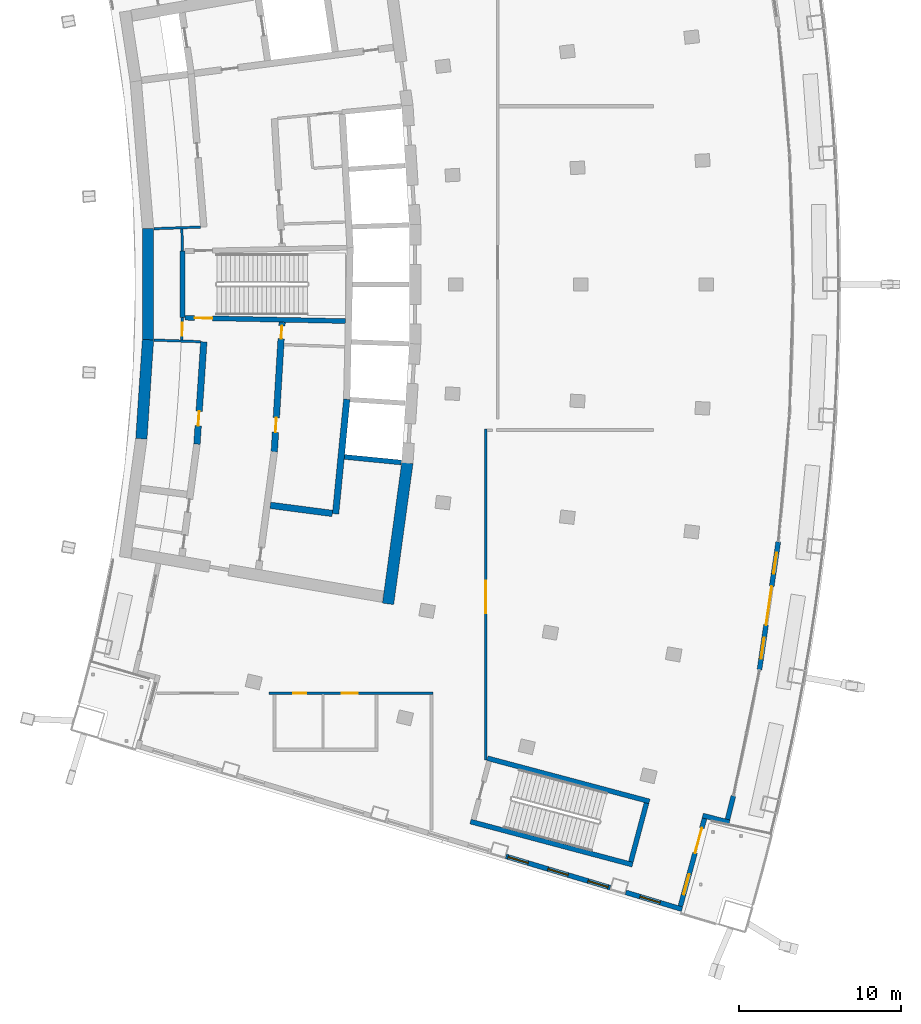
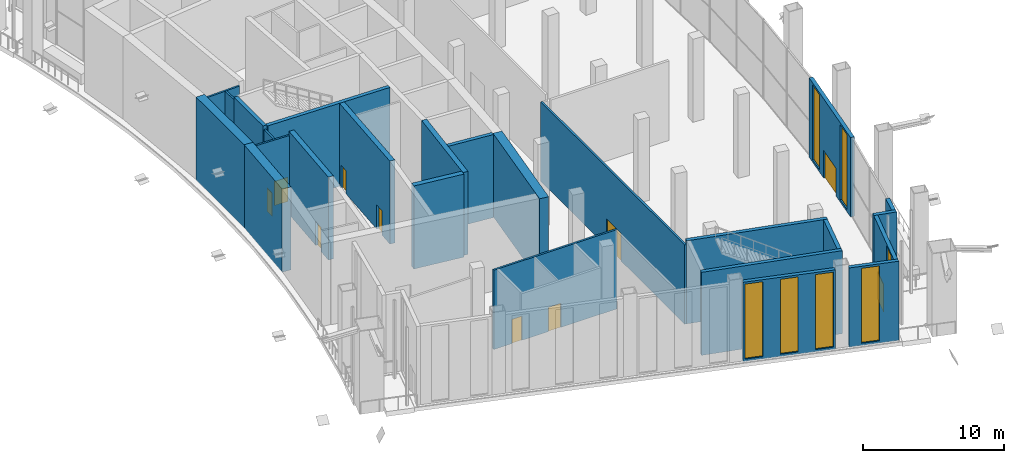
# One storey, part 16 of 26: 25 walls, 10 doors, 7 windows, 17 openings.
"""IFC4 building model written with IfcOpenShell, lengths in metres."""

import ifcopenshell
import ifcopenshell.guid

model = None  # the IFC model being written
_history = None  # IfcOwnerHistory: only IFC2X3 demands one
_inside = {}  # id of a spatial element -> (the spatial element, [elements in it])
_under = {}  # id of a project, library or spatial element -> (it, [spatial elements below it])
_declared = {}  # id of a project -> (the project, [libraries it declares])
_typed = {}  # id of a type object -> (the type object, [elements of that type])
_made_of = {}  # id of a material, layer set ... -> (it, [elements and type objects made of it])


def new_model(schema):
    """Start an empty IFC model of exactly this schema.

    Asked for "IFC4X3", IfcOpenShell would pick the latest addendum, in which some entities
    have other attributes; the version numbers below select the first issue.
    IFC2X3 requires an IfcOwnerHistory on every rooted entity: one is made here for all.
    """
    global model, _history
    if schema == "IFC4X3":
        model = ifcopenshell.file(schema_version=(4, 3, 0, 0))
    else:
        model = ifcopenshell.file(schema=schema)
    _inside.clear()
    _under.clear()
    _declared.clear()
    _typed.clear()
    _made_of.clear()
    _history = None
    if model.schema == "IFC2X3":
        org = make("IfcOrganization", Name="unknown")
        user = make(
            "IfcPersonAndOrganization",
            ThePerson=make("IfcPerson", FamilyName="unknown"),
            TheOrganization=org,
        )
        app = make(
            "IfcApplication",
            ApplicationDeveloper=org,
            Version="unknown",
            ApplicationFullName="unknown",
            ApplicationIdentifier="unknown",
        )
        _history = make(
            "IfcOwnerHistory",
            OwningUser=user,
            OwningApplication=app,
            ChangeAction="ADDED",
            CreationDate=0,
        )
    return model


def make(cls, **values):
    """One entity of the class cls with the attributes given. An attribute that is None is left unset."""
    return model.create_entity(
        cls, **{name: value for name, value in values.items() if value is not None}
    )


def rooted(cls, **values):
    """An entity with a GlobalId (a new one), such as an element, a storey or a relation."""
    return make(cls, GlobalId=ifcopenshell.guid.new(), OwnerHistory=_history, **values)


def si_unit(unit_type, name, prefix=None):
    """IfcSIUnit, for example si_unit("LENGTHUNIT", "METRE", prefix="MILLI")."""
    return make("IfcSIUnit", UnitType=unit_type, Prefix=prefix, Name=name)


def assignment(units):
    """IfcUnitAssignment: the units of a project."""
    return None if units is None else make("IfcUnitAssignment", Units=units)


def point(xyz):
    """IfcCartesianPoint."""
    return None if xyz is None else make("IfcCartesianPoint", Coordinates=xyz)


def direction(xyz):
    """IfcDirection."""
    return None if xyz is None else make("IfcDirection", DirectionRatios=xyz)


def frame(location, z_axis=None, x_axis=None):
    """IfcAxis2Placement3D, a coordinate frame: its origin and axes. An axis left out is left unset."""
    return make(
        "IfcAxis2Placement3D",
        Location=point(location),
        Axis=direction(z_axis),
        RefDirection=direction(x_axis),
    )


def frame_2d(location, x_axis=None):
    """IfcAxis2Placement2D, a coordinate frame in the plane: its origin and x axis."""
    return make(
        "IfcAxis2Placement2D", Location=point(location), RefDirection=direction(x_axis)
    )


def origin():
    """The frame at (0, 0, 0) with its axes left unset."""
    return frame((0.0, 0.0, 0.0))


def place(relative_to, where):
    """IfcLocalPlacement: puts the frame where relative to a parent placement (None: the world)."""
    return make(
        "IfcLocalPlacement", PlacementRelTo=relative_to, RelativePlacement=where
    )


def context(
    kind, dimensions, precision=None, world=None, true_north=None, identifier=None
):
    """IfcGeometricRepresentationContext, for example the 3D "Model" context."""
    return make(
        "IfcGeometricRepresentationContext",
        ContextIdentifier=identifier,
        ContextType=kind,
        CoordinateSpaceDimension=dimensions,
        Precision=precision,
        WorldCoordinateSystem=world,
        TrueNorth=true_north,
    )


def subcontext(parent, identifier, kind, view, scale=None):
    """IfcGeometricRepresentationSubContext, for example "Body" below "Model"."""
    return make(
        "IfcGeometricRepresentationSubContext",
        ContextIdentifier=identifier,
        ContextType=kind,
        ParentContext=parent,
        TargetScale=scale,
        TargetView=view,
    )


def project(units=None, contexts=None):
    """IfcProject with its units and contexts."""
    return rooted(
        "IfcProject",
        Name="project",
        RepresentationContexts=contexts,
        UnitsInContext=assignment(units),
    )


def spatial(cls, under=None, at=None, **own):
    """A site, building, storey or space (cls), placed at a placement, below another one or the project."""
    s = rooted(cls, ObjectPlacement=at, **own)
    if under is not None:
        _under.setdefault(under.id(), (under, []))[1].append(s)
    return s


def profile(cls, at=None, kind="AREA", **sizes):
    """A parametric profile (cls). Its sizes go by their IFC names, for example OverallWidth=200.0."""
    return make(cls, ProfileType=kind, Position=at, **sizes)


def rectangle(**sizes):
    """IfcRectangleProfileDef."""
    return profile("IfcRectangleProfileDef", **sizes)


def extrude(swept, where, along, depth):
    """IfcExtrudedAreaSolid: the profile swept, set in the frame where, extruded along a direction by depth."""
    return make(
        "IfcExtrudedAreaSolid",
        SweptArea=swept,
        Position=where,
        ExtrudedDirection=direction(along),
        Depth=depth,
    )


def shape(context_of_items, identifier, shape_type, items):
    """IfcShapeRepresentation: the items that make up one representation, for example the "Body"."""
    return make(
        "IfcShapeRepresentation",
        ContextOfItems=context_of_items,
        RepresentationIdentifier=identifier,
        RepresentationType=shape_type,
        Items=items,
    )


def material(Name=None, Category=None):
    """IfcMaterial."""
    return make("IfcMaterial", Name=Name, Category=Category)


def layer(
    of_material, thickness, ventilated=None, Name=None, Category=None, Priority=None
):
    """IfcMaterialLayer: one layer of a wall or slab, of a material (None: an air gap)."""
    return make(
        "IfcMaterialLayer",
        Material=of_material,
        LayerThickness=thickness,
        IsVentilated=ventilated,
        Name=Name,
        Category=Category,
        Priority=Priority,
    )


def layer_set(layers, Name=None):
    """IfcMaterialLayerSet."""
    return make("IfcMaterialLayerSet", MaterialLayers=layers, LayerSetName=Name)


def made_of(thing, what):
    """Note that an element or type object is made of a material, layer set ...; save() writes the relation."""
    if what is not None:
        _made_of.setdefault(what.id(), (what, []))[1].append(thing)
    return thing


def type_object(cls, material=None, **own):
    """A type object (cls), such as IfcWallType, which elements share."""
    return made_of(rooted(cls, **own), material)


def element(
    cls,
    number,
    at=None,
    inside=None,
    cuts=None,
    type_object=None,
    material=None,
    context=None,
    identifier="Body",
    shape_type=None,
    held_by="IfcProductDefinitionShape",
    body=None,
    shapes=None,
    **own,
):
    """One element of the class cls, such as IfcWall. Its Tag is "e" and its number.

    at: its placement. inside: the storey or other place that contains it. cuts: it is an
    opening in that element (IfcRelVoidsElement). A single representation is given by context,
    identifier, shape_type and body (its items); several are given by shapes. held_by: the class
    of the entity that holds the representations. save() writes the other relations.
    """
    e = rooted(cls, Tag="e%d" % number, ObjectPlacement=at, **own)
    if body is not None:
        shapes = [shape(context, identifier, shape_type, body)]
    if shapes is not None:
        e.Representation = make(held_by, Representations=shapes)
    if inside is not None:
        _inside.setdefault(inside.id(), (inside, []))[1].append(e)
    if cuts is not None:
        rooted(
            "IfcRelVoidsElement", RelatingBuildingElement=cuts, RelatedOpeningElement=e
        )
    if type_object is not None:
        _typed.setdefault(type_object.id(), (type_object, []))[1].append(e)
    return made_of(e, material)


def fill(opening, filler):
    """IfcRelFillsElement: the door or window that sits in an opening."""
    return rooted(
        "IfcRelFillsElement",
        RelatingOpeningElement=opening,
        RelatedBuildingElement=filler,
    )


def aggregate(whole, parts):
    """IfcRelAggregates: a whole, such as a stair, and the parts it consists of."""
    return rooted("IfcRelAggregates", RelatingObject=whole, RelatedObjects=parts)


def save(model, path):
    """Write the relations noted so far, then the file.

    IfcRelAggregates (storeys below a building ...), IfcRelContainedInSpatialStructure (elements
    in a storey), IfcRelDefinesByType, IfcRelAssociatesMaterial and IfcRelDeclares: one each for
    every whole, place, type object, material and project.
    """
    for whole, parts in _under.values():
        aggregate(whole, parts)
    for where, things in _inside.values():
        rooted(
            "IfcRelContainedInSpatialStructure",
            RelatedElements=things,
            RelatingStructure=where,
        )
    for kind, things in _typed.values():
        rooted("IfcRelDefinesByType", RelatedObjects=things, RelatingType=kind)
    for what, things in _made_of.values():
        rooted("IfcRelAssociatesMaterial", RelatedObjects=things, RelatingMaterial=what)
    for by, libraries in _declared.values():
        rooted("IfcRelDeclares", RelatingContext=by, RelatedDefinitions=libraries)
    model.write(path)


model = new_model("IFC4")

# Units and contexts
model_context = context("Model", 3, precision=1e-05, world=origin(), true_north=direction((0.0, 1.0)))
body_context = subcontext(model_context, "Body", "Model", "MODEL_VIEW")
ifc_project = project(units=[si_unit("LENGTHUNIT", "METRE"), si_unit("AREAUNIT", "SQUARE_METRE"), si_unit("VOLUMEUNIT", "CUBIC_METRE"), si_unit("PLANEANGLEUNIT", "RADIAN"), si_unit("MASSUNIT", "GRAM", prefix="KILO")], contexts=[model_context])

# Site, building, storey
site_placement = place(None, origin())
site = spatial("IfcSite", under=ifc_project, at=site_placement, CompositionType="ELEMENT")
building_placement = place(site_placement, origin())
building = spatial("IfcBuilding", under=site, at=building_placement, Name="Alderwake Tower", CompositionType="ELEMENT")
storey_placement = place(building_placement, frame((0.0, 0.0, 182.0)))
storey = spatial("IfcBuildingStorey", under=building, at=storey_placement, Name="L45", CompositionType="ELEMENT", Elevation=182.0)

# Wall, opening, door
ifc_material_1 = material(Name="Gypsum shaft wall system, rated")
ifc_layer_1 = layer(ifc_material_1, 0.14990234375)
ifc_layer_set_1 = layer_set([ifc_layer_1], Name="Core room partition 150")
wall_type_1 = type_object("IfcWallType", Name="Core room partition 150", PredefinedType="PARTITIONING", material=ifc_layer_set_1)
wall_1_placement = place(storey_placement, frame((18.918701171875, 58.94384765625, 0.0), z_axis=(0.0, 0.0, 1.0), x_axis=(-0.027811602725, -0.999613182563, 0.0)))
wall_1 = element("IfcWall", 1, at=wall_1_placement, inside=storey, type_object=wall_type_1, Name="CW/L45/PA+24_-37", PredefinedType="PARTITIONING", context=body_context, shape_type="SweptSolid", body=[
    extrude(rectangle(XDim=1.369384765625, YDim=0.14990234375, at=frame_2d((0.6845703125, 0.0))), origin(), (0.0, 0.0, 1.0), 6.8798828125),
])
opening_1_placement = place(wall_1_placement, frame((0.322998046875, 0.0, 0.0)))
opening_1 = element("IfcOpeningElement", 2, at=opening_1_placement, cuts=wall_1, Name="Opening C004", PredefinedType="OPENING", context=body_context, shape_type="SweptSolid", body=[
    extrude(rectangle(XDim=0.800048828125, YDim=2.0, at=frame_2d((0.39990234375, 1.0))), frame((0.0, 0.0849609375, 0.0), z_axis=(0.0, -1.0, 0.0), x_axis=(1.0, 0.0, 0.0)), (0.0, 0.0, 1.0), 0.169921875),
])
ifc_material_2 = material(Name="Painted steel leaf, rated", Category="steel")
door_type_1 = type_object("IfcDoorType", Name="Riser access door 800", OperationType="SINGLE_SWING_LEFT", PredefinedType="DOOR", material=ifc_material_2)
door_1_placement = place(opening_1_placement, origin())
door_1 = element("IfcDoor", 3, at=door_1_placement, inside=storey, type_object=door_type_1, Name="Riser access door", OperationType="SINGLE_SWING_RIGHT", OverallHeight=2.0, OverallWidth=0.800048828125, PredefinedType="DOOR", context=body_context, shape_type="SweptSolid", body=[
    extrude(rectangle(XDim=0.800048828125, YDim=2.0, at=frame_2d((0.39990234375, 1.0))), frame((0.0, 0.02490234375, 0.0), z_axis=(0.0, -1.0, 0.0), x_axis=(1.0, 0.0, 0.0)), (0.0, 0.0, 1.0), 0.050048828125),
])
fill(opening_1, door_1)

# Walls
wall_2_placement = place(storey_placement, frame((18.918701171875, 63.05517578125, 0.0), z_axis=(0.0, 0.0, 1.0), x_axis=(-0.027791791559, 0.99961373356, 0.0)))
element("IfcWall", 4, at=wall_2_placement, inside=storey, type_object=wall_type_1, Name="CW/L45/PA+24_+22", PredefinedType="PARTITIONING", context=body_context, shape_type="SweptSolid", body=[
    extrude(rectangle(XDim=1.370361328125, YDim=0.14990234375, at=frame_2d((0.68505859375, 0.0))), origin(), (0.0, 0.0, 1.0), 6.8798828125),
])
wall_3_placement = place(storey_placement, frame((17.169189453125, 57.560546875, 0.0), z_axis=(0.0, 0.0, 1.0), x_axis=(0.999373538371, -0.03539111194, 0.0)))
element("IfcWall", 5, at=wall_3_placement, inside=storey, type_object=wall_type_1, Name="CW/L45/PR-37_+0", PredefinedType="PARTITIONING", context=body_context, shape_type="SweptSolid", body=[
    extrude(rectangle(XDim=2.86962890625, YDim=0.14990234375, at=frame_2d((1.434814453125, 0.0))), origin(), (0.0, 0.0, 1.0), 6.8798828125),
])
wall_4_placement = place(storey_placement, frame((17.16943359375, 64.439453125, 0.0), z_axis=(0.0, 0.0, 1.0), x_axis=(0.999373431798, 0.035394121201, 0.0)))
element("IfcWall", 6, at=wall_4_placement, inside=storey, type_object=wall_type_1, Name="CW/L45/PR+37_+0", PredefinedType="PARTITIONING", context=body_context, shape_type="SweptSolid", body=[
    extrude(rectangle(XDim=2.869384765625, YDim=0.14990234375, at=frame_2d((1.4345703125, 0.0))), origin(), (0.0, 0.0, 1.0), 6.8798828125),
])
ifc_material_3 = material(Name="Concrete C70/85", Category="concrete")
ifc_layer_2 = layer(ifc_material_3, 0.699951171875)
ifc_layer_set_2 = layer_set([ifc_layer_2], Name="Core wall outer 700 C70-85")
wall_type_2 = type_object("IfcWallType", Name="Core wall outer 700 C70-85", PredefinedType="SHEAR", material=ifc_layer_set_2)
wall_5_placement = place(storey_placement, frame((16.379638671875, 51.46337890625, 0.0), z_axis=(0.0, 0.0, 1.0), x_axis=(0.066917731608, 0.997758496429, 0.0)))
element("IfcWall", 7, at=wall_5_placement, inside=storey, type_object=wall_type_2, Name="Core wall CW.041", PredefinedType="SHEAR", context=body_context, shape_type="SweptSolid", body=[
    extrude(rectangle(XDim=6.136474609375, YDim=0.699951171875, at=frame_2d((3.068359375, 0.0))), origin(), (0.0, 0.0, 1.0), 7.199951171875),
])
wall_6_placement = place(storey_placement, frame((16.789306640625, 57.561767578125, 0.0), z_axis=(0.0, 0.0, 1.0), x_axis=(0.0, 1.0, 0.0)))
element("IfcWall", 8, at=wall_6_placement, inside=storey, type_object=wall_type_2, Name="Core wall CW.043", PredefinedType="SHEAR", context=body_context, shape_type="SweptSolid", body=[
    extrude(rectangle(XDim=6.87939453125, YDim=0.699951171875, at=frame_2d((3.439697265625, 0.0))), origin(), (0.0, 0.0, 1.0), 7.199951171875),
])
wall_7_placement = place(storey_placement, frame((31.618896484375, 41.264892578125, 0.0), z_axis=(0.0, 0.0, 1.0), x_axis=(0.135835706655, 0.99073137671, 0.0)))
element("IfcWall", 9, at=wall_7_placement, inside=storey, type_object=wall_type_2, Name="Core wall CW.012", PredefinedType="SHEAR", context=body_context, shape_type="SweptSolid", body=[
    extrude(rectangle(XDim=8.790771484375, YDim=0.699951171875, at=frame_2d((4.3955078125, 0.0))), origin(), (0.0, 0.0, 1.0), 7.199951171875),
])
ifc_material_4 = material(Name="Concrete C70/85", Category="concrete")
ifc_layer_3 = layer(ifc_material_4, 0.300048828125)
ifc_layer_set_3 = layer_set([ifc_layer_3], Name="Core wall shaft 300 C70-85")
wall_type_3 = type_object("IfcWallType", Name="Core wall shaft 300 C70-85", PredefinedType="SHEAR", material=ifc_layer_set_3)
wall_8_placement = place(storey_placement, frame((28.922119140625, 50.341796875, 0.0), z_axis=(0.0, 0.0, 1.0), x_axis=(0.995247351008, -0.097379208823, 0.0)))
element("IfcWall", 10, at=wall_8_placement, inside=storey, type_object=wall_type_3, Name="Core wall CW.064", PredefinedType="SHEAR", context=body_context, shape_type="SweptSolid", body=[
    extrude(rectangle(XDim=3.527587890625, YDim=0.300048828125, at=frame_2d((1.763671875, 0.0))), origin(), (0.0, 0.0, 1.0), 7.199951171875),
])

# Wall, opening, door
ifc_material_5 = material(Name="Concrete C70/85", Category="concrete")
ifc_layer_4 = layer(ifc_material_5, 0.39990234375)
ifc_layer_set_4 = layer_set([ifc_layer_4], Name="Core wall spine 400 C70-85")
wall_type_4 = type_object("IfcWallType", Name="Core wall spine 400 C70-85", PredefinedType="SHEAR", material=ifc_layer_set_4)
wall_9_placement = place(storey_placement, frame((20.2373046875, 57.451904296875, 0.0), z_axis=(0.0, 0.0, 1.0), x_axis=(-0.066887252767, -0.997760540118, 0.0)))
wall_9 = element("IfcWall", 11, at=wall_9_placement, inside=storey, type_object=wall_type_4, Name="Core wall CW.032", PredefinedType="SHEAR", context=body_context, shape_type="SweptSolid", body=[
    extrude(rectangle(XDim=6.33642578125, YDim=0.39990234375, at=frame_2d((3.168212890625, 0.0))), origin(), (0.0, 0.0, 1.0), 7.199951171875),
])
opening_2_placement = place(wall_9_placement, frame((4.29736328125, 0.0, 0.0)))
opening_2 = element("IfcOpeningElement", 12, at=opening_2_placement, cuts=wall_9, Name="Opening C037", PredefinedType="OPENING", context=body_context, shape_type="SweptSolid", body=[
    extrude(rectangle(XDim=0.89990234375, YDim=2.10009765625, at=frame_2d((0.449951171875, 1.050048828125))), frame((0.0, 0.2099609375, 0.0), z_axis=(0.0, -1.0, 0.0), x_axis=(1.0, 0.0, 0.0)), (0.0, 0.0, 1.0), 0.419921875),
])
ifc_material_6 = material(Name="Painted steel leaf", Category="steel")
door_type_2 = type_object("IfcDoorType", Name="Core room door 900", OperationType="SINGLE_SWING_LEFT", PredefinedType="DOOR", material=ifc_material_6)
door_2_placement = place(opening_2_placement, origin())
door_2 = element("IfcDoor", 13, at=door_2_placement, inside=storey, type_object=door_type_2, Name="Room door", OperationType="SINGLE_SWING_RIGHT", OverallHeight=2.10009765625, OverallWidth=0.89990234375, PredefinedType="DOOR", context=body_context, shape_type="SweptSolid", body=[
    extrude(rectangle(XDim=0.89990234375, YDim=2.10009765625, at=frame_2d((0.449951171875, 1.050048828125))), frame((0.0, 0.02490234375, 0.0), z_axis=(0.0, -1.0, 0.0), x_axis=(1.0, 0.0, 0.0)), (0.0, 0.0, 1.0), 0.050048828125),
])
fill(opening_2, door_2)

# Wall, openings, doors
wall_10_placement = place(storey_placement, frame((24.590087890625, 50.656982421875, 0.0), z_axis=(0.0, 0.0, 1.0), x_axis=(0.060320473855, 0.99817906231, 0.0)))
wall_10 = element("IfcWall", 14, at=wall_10_placement, inside=storey, type_object=wall_type_4, Name="Core wall CW.046", PredefinedType="SHEAR", context=body_context, shape_type="SweptSolid", body=[
    extrude(rectangle(XDim=8.02197265625, YDim=0.39990234375, at=frame_2d((4.010986328125, 0.0))), origin(), (0.0, 0.0, 1.0), 7.199951171875),
])
opening_3_placement = place(wall_10_placement, frame((7.005859375, 0.0, 0.0)))
opening_3 = element("IfcOpeningElement", 15, at=opening_3_placement, cuts=wall_10, Name="Opening C006", PredefinedType="OPENING", context=body_context, shape_type="SweptSolid", body=[
    extrude(rectangle(XDim=0.800048828125, YDim=2.0, at=frame_2d((0.39990234375, 1.0))), frame((0.0, 0.2099609375, 0.0), z_axis=(0.0, -1.0, 0.0), x_axis=(1.0, 0.0, 0.0)), (0.0, 0.0, 1.0), 0.419921875),
])
opening_4_placement = place(wall_10_placement, frame((1.21533203125, 0.0, 0.0)))
opening_4 = element("IfcOpeningElement", 16, at=opening_4_placement, cuts=wall_10, Name="Opening C043", PredefinedType="OPENING", context=body_context, shape_type="SweptSolid", body=[
    extrude(rectangle(XDim=0.89990234375, YDim=2.10009765625, at=frame_2d((0.449951171875, 1.050048828125))), frame((0.0, 0.2099609375, 0.0), z_axis=(0.0, -1.0, 0.0), x_axis=(1.0, 0.0, 0.0)), (0.0, 0.0, 1.0), 0.419921875),
])
door_3_placement = place(opening_4_placement, origin())
door_3 = element("IfcDoor", 17, at=door_3_placement, inside=storey, type_object=door_type_2, Name="Room door", OperationType="SINGLE_SWING_LEFT", OverallHeight=2.10009765625, OverallWidth=0.89990234375, PredefinedType="DOOR", context=body_context, shape_type="SweptSolid", body=[
    extrude(rectangle(XDim=0.89990234375, YDim=2.10009765625, at=frame_2d((0.449951171875, 1.050048828125))), frame((0.0, 0.02490234375, 0.0), z_axis=(0.0, -1.0, 0.0), x_axis=(1.0, 0.0, 0.0)), (0.0, 0.0, 1.0), 0.050048828125),
])
fill(opening_4, door_3)
door_4_placement = place(opening_3_placement, origin())
door_4 = element("IfcDoor", 18, at=door_4_placement, inside=storey, type_object=door_type_1, Name="Riser access door", OperationType="SINGLE_SWING_RIGHT", OverallHeight=2.0, OverallWidth=0.800048828125, PredefinedType="DOOR", context=body_context, shape_type="SweptSolid", body=[
    extrude(rectangle(XDim=0.800048828125, YDim=2.0, at=frame_2d((0.39990234375, 1.0))), frame((0.0, 0.02490234375, 0.0), z_axis=(0.0, -1.0, 0.0), x_axis=(1.0, 0.0, 0.0)), (0.0, 0.0, 1.0), 0.050048828125),
])
fill(opening_3, door_4)

# Walls
wall_11_placement = place(storey_placement, frame((28.376953125, 46.8251953125, 0.0), z_axis=(0.0, 0.0, 1.0), x_axis=(0.097393469943, 0.995245955537, 0.0)))
element("IfcWall", 19, at=wall_11_placement, inside=storey, type_object=wall_type_4, Name="Core wall CW.005", PredefinedType="SHEAR", context=body_context, shape_type="SweptSolid", body=[
    extrude(rectangle(XDim=7.1142578125, YDim=0.39990234375, at=frame_2d((3.55712890625, 0.0))), origin(), (0.0, 0.0, 1.0), 7.199951171875),
])
wall_12_placement = place(storey_placement, frame((24.347900390625, 47.35205078125, 0.0), z_axis=(0.0, 0.0, 1.0), x_axis=(0.991555950624, -0.129679592778, 0.0)))
element("IfcWall", 20, at=wall_12_placement, inside=storey, type_object=wall_type_4, Name="Core wall CW.069", PredefinedType="SHEAR", context=body_context, shape_type="SweptSolid", body=[
    extrude(rectangle(XDim=3.86328125, YDim=0.39990234375, at=frame_2d((1.931640625, 0.0))), origin(), (0.0, 0.0, 1.0), 7.199951171875),
])
ifc_material_7 = material(Name="Concrete C70/85", Category="concrete")
ifc_layer_5 = layer(ifc_material_7, 0.300048828125)
ifc_layer_set_5 = layer_set([ifc_layer_5], Name="Core wall stair enclosure 300 C70-85")
wall_type_5 = type_object("IfcWallType", Name="Core wall stair enclosure 300 C70-85", PredefinedType="SHEAR", material=ifc_layer_set_5)
wall_13_placement = place(storey_placement, frame((18.918701171875, 58.940673828125, 0.0), z_axis=(0.0, 0.0, 1.0), x_axis=(0.0, 1.0, 0.0)))
element("IfcWall", 21, at=wall_13_placement, inside=storey, type_object=wall_type_5, Name="Core wall CW.024", PredefinedType="SHEAR", context=body_context, shape_type="SweptSolid", body=[
    extrude(rectangle(XDim=4.11962890625, YDim=0.300048828125, at=frame_2d((2.059814453125, 0.0))), origin(), (0.0, 0.0, 1.0), 7.199951171875),
])

# Wall, opening, door
wall_14_placement = place(storey_placement, frame((28.975830078125, 58.733154296875, 0.0), z_axis=(0.0, 0.0, 1.0), x_axis=(-0.999783782948, 0.020793925895, 0.0)))
wall_14 = element("IfcWall", 22, at=wall_14_placement, inside=storey, type_object=wall_type_5, Name="Core wall CW.074", PredefinedType="SHEAR", context=body_context, shape_type="SweptSolid", body=[
    extrude(rectangle(XDim=9.909423828125, YDim=0.300048828125, at=frame_2d((4.95458984375, 0.0))), origin(), (0.0, 0.0, 1.0), 7.199951171875),
])
opening_5_placement = place(wall_14_placement, frame((8.20947265625, 0.0, 0.0)))
opening_5 = element("IfcOpeningElement", 23, at=opening_5_placement, cuts=wall_14, Name="Opening C063", PredefinedType="OPENING", context=body_context, shape_type="SweptSolid", body=[
    extrude(rectangle(XDim=1.10009765625, YDim=2.10009765625, at=frame_2d((0.550048828125, 1.050048828125))), frame((0.0, 0.159912109375, 0.0), z_axis=(0.0, -1.0, 0.0), x_axis=(1.0, 0.0, 0.0)), (0.0, 0.0, 1.0), 0.320068359375),
])
ifc_material_8 = material(Name="Steel-framed fire door leaf", Category="steel")
door_type_3 = type_object("IfcDoorType", Name="Core stair door 1100 fire-rated", OperationType="SINGLE_SWING_LEFT", PredefinedType="DOOR", material=ifc_material_8)
door_5_placement = place(opening_5_placement, origin())
door_5 = element("IfcDoor", 24, at=door_5_placement, inside=storey, type_object=door_type_3, Name="Stair door", OperationType="SINGLE_SWING_LEFT", OverallHeight=2.10009765625, OverallWidth=1.10009765625, PredefinedType="DOOR", context=body_context, shape_type="SweptSolid", body=[
    extrude(rectangle(XDim=1.10009765625, YDim=2.10009765625, at=frame_2d((0.550048828125, 1.050048828125))), frame((0.0, 0.02490234375, 0.0), z_axis=(0.0, -1.0, 0.0), x_axis=(1.0, 0.0, 0.0)), (0.0, 0.0, 1.0), 0.050048828125),
])
fill(opening_5, door_5)

# Walls
for number, where, z_axis, x_axis, name in (
    (25, (37.75390625, 31.731201171875, 0.0), (0.0, 0.0, 1.0), (0.966309214305, -0.257383958996, 0.0), "Core wall CW.086"),
    (26, (36.71142578125, 27.817626953125, 0.0), (0.0, 0.0, 1.0), (0.966309214305, -0.257383958996, 0.0), "Core wall CW.088"),
):
    element("IfcWall", number, at=place(storey_placement, frame(where, z_axis=z_axis, x_axis=x_axis)), inside=storey, type_object=wall_type_5, Name=name, PredefinedType="SHEAR", context=body_context, shape_type="SweptSolid", body=[
        extrude(rectangle(XDim=10.360107421875, YDim=0.300048828125, at=frame_2d((5.18017578125, 0.0))), origin(), (0.0, 0.0, 1.0), 7.199951171875),
    ])
wall_15_placement = place(storey_placement, frame((46.6162109375, 25.334716796875, 0.0), z_axis=(0.0, 0.0, 1.0), x_axis=(0.257366821694, 0.966313778796, 0.0)))
element("IfcWall", 27, at=wall_15_placement, inside=storey, type_object=wall_type_5, Name="Core wall CW.085", PredefinedType="SHEAR", context=body_context, shape_type="SweptSolid", body=[
    extrude(rectangle(XDim=3.749755859375, YDim=0.300048828125, at=frame_2d((1.875, 0.0))), origin(), (0.0, 0.0, 1.0), 7.199951171875),
])

# Wall, openings, doors
ifc_material_9 = material(Name="Gypsum board on metal studs, rated")
ifc_layer_6 = layer(ifc_material_9, 0.159912109375)
ifc_layer_set_6 = layer_set([ifc_layer_6], Name="Corridor wall 160")
wall_type_6 = type_object("IfcWallType", Name="Corridor wall 160", PredefinedType="PARTITIONING", material=ifc_layer_set_6)
wall_16_placement = place(storey_placement, frame((24.260986328125, 35.7509765625, 0.0), z_axis=(0.0, 0.0, 1.0), x_axis=(1.0, 0.0, 0.0)))
wall_16 = element("IfcWall", 28, at=wall_16_placement, inside=storey, type_object=wall_type_6, Name="WL/L45/W12", PredefinedType="PARTITIONING", context=body_context, shape_type="SweptSolid", body=[
    extrude(rectangle(XDim=10.117919921875, YDim=0.159912109375, at=frame_2d((5.05908203125, 0.0))), origin(), (0.0, 0.0, 1.0), 6.8798828125),
])
opening_6_placement = place(wall_16_placement, frame((1.489013671875, 0.0, 0.0)))
opening_6 = element("IfcOpeningElement", 29, at=opening_6_placement, cuts=wall_16, Name="Opening L45-07", PredefinedType="OPENING", context=body_context, shape_type="SweptSolid", body=[
    extrude(rectangle(XDim=0.800048828125, YDim=2.10009765625, at=frame_2d((0.39990234375, 1.050048828125))), frame((0.0, 0.08984375, 0.0), z_axis=(0.0, -1.0, 0.0), x_axis=(1.0, 0.0, 0.0)), (0.0, 0.0, 1.0), 0.179931640625),
])
opening_7_placement = place(wall_16_placement, frame((4.489013671875, 0.0, 0.0)))
opening_7 = element("IfcOpeningElement", 30, at=opening_7_placement, cuts=wall_16, Name="Opening L45-08", PredefinedType="OPENING", context=body_context, shape_type="SweptSolid", body=[
    extrude(rectangle(XDim=1.0, YDim=2.10009765625, at=frame_2d((0.5, 1.050048828125))), frame((0.0, 0.08984375, 0.0), z_axis=(0.0, -1.0, 0.0), x_axis=(1.0, 0.0, 0.0)), (0.0, 0.0, 1.0), 0.179931640625),
])
ifc_material_10 = material(Name="Painted timber leaf", Category="wood")
door_type_4 = type_object("IfcDoorType", Name="Accessible WC door 1000", OperationType="SINGLE_SWING_LEFT", PredefinedType="DOOR", material=ifc_material_10)
door_6_placement = place(opening_7_placement, origin())
door_6 = element("IfcDoor", 31, at=door_6_placement, inside=storey, type_object=door_type_4, Name="DR/L45/08", OperationType="SINGLE_SWING_LEFT", OverallHeight=2.10009765625, OverallWidth=1.0, PredefinedType="DOOR", context=body_context, shape_type="SweptSolid", body=[
    extrude(rectangle(XDim=1.0, YDim=2.10009765625, at=frame_2d((0.5, 1.050048828125))), frame((0.0, 0.02490234375, 0.0), z_axis=(0.0, -1.0, 0.0), x_axis=(1.0, 0.0, 0.0)), (0.0, 0.0, 1.0), 0.050048828125),
])
fill(opening_7, door_6)
ifc_material_11 = material(Name="Painted timber leaf", Category="wood")
door_type_5 = type_object("IfcDoorType", Name="Bathroom door 800", OperationType="SINGLE_SWING_LEFT", PredefinedType="DOOR", material=ifc_material_11)
door_7_placement = place(opening_6_placement, origin())
door_7 = element("IfcDoor", 32, at=door_7_placement, inside=storey, type_object=door_type_5, Name="DR/L45/07", OperationType="SINGLE_SWING_LEFT", OverallHeight=2.10009765625, OverallWidth=0.800048828125, PredefinedType="DOOR", context=body_context, shape_type="SweptSolid", body=[
    extrude(rectangle(XDim=0.800048828125, YDim=2.10009765625, at=frame_2d((0.39990234375, 1.050048828125))), frame((0.0, 0.02490234375, 0.0), z_axis=(0.0, -1.0, 0.0), x_axis=(1.0, 0.0, 0.0)), (0.0, 0.0, 1.0), 0.050048828125),
])
fill(opening_6, door_7)

# Wall, opening, door
wall_17_placement = place(storey_placement, frame((37.64990234375, 31.611083984375, 0.0), z_axis=(0.0, 0.0, 1.0), x_axis=(0.0, 1.0, 0.0)))
wall_17 = element("IfcWall", 33, at=wall_17_placement, inside=storey, type_object=wall_type_6, Name="WL/L45/W17", PredefinedType="PARTITIONING", context=body_context, shape_type="SweptSolid", body=[
    extrude(rectangle(XDim=20.468017578125, YDim=0.159912109375, at=frame_2d((10.23388671875, 0.0))), origin(), (0.0, 0.0, 1.0), 6.8798828125),
])
opening_8_placement = place(wall_17_placement, frame((9.080078125, 0.0, 0.0)))
opening_8 = element("IfcOpeningElement", 34, at=opening_8_placement, cuts=wall_17, Name="Opening L45-01", PredefinedType="OPENING", context=body_context, shape_type="SweptSolid", body=[
    extrude(rectangle(XDim=2.0, YDim=2.39990234375, at=frame_2d((1.0, 1.199951171875))), frame((0.0, 0.08984375, 0.0), z_axis=(0.0, -1.0, 0.0), x_axis=(1.0, 0.0, 0.0)), (0.0, 0.0, 1.0), 0.179931640625),
])
ifc_material_12 = material(Name="Timber leaves with glazed panels", Category="wood")
door_type_6 = type_object("IfcDoorType", Name="Hall double door 2000", OperationType="DOUBLE_DOOR_SINGLE_SWING", PredefinedType="DOOR", material=ifc_material_12)
door_8_placement = place(opening_8_placement, origin())
door_8 = element("IfcDoor", 35, at=door_8_placement, inside=storey, type_object=door_type_6, Name="DR/L45/01", OperationType="DOUBLE_DOOR_SINGLE_SWING", OverallHeight=2.39990234375, OverallWidth=2.0, PredefinedType="DOOR", context=body_context, shape_type="SweptSolid", body=[
    extrude(rectangle(XDim=2.0, YDim=2.39990234375, at=frame_2d((1.0, 1.199951171875))), frame((0.0, 0.02490234375, 0.0), z_axis=(0.0, -1.0, 0.0), x_axis=(1.0, 0.0, 0.0)), (0.0, 0.0, 1.0), 0.050048828125),
])
fill(opening_8, door_8)

# Wall
ifc_material_13 = material(Name="Precast concrete C50/60 spandrel panel", Category="concrete")
ifc_layer_7 = layer(ifc_material_13, 0.300048828125)
ifc_layer_set_7 = layer_set([ifc_layer_7], Name="External wall EW1 Precast concrete C50/60 spandrel")
wall_type_7 = type_object("IfcWallType", Name="External wall EW1 Precast concrete C50/60 spandrel", PredefinedType="SOLIDWALL", material=ifc_layer_set_7)
wall_18_placement = place(storey_placement, frame((52.59130859375, 27.953857421875, 0.0), z_axis=(0.0, 0.0, 1.0), x_axis=(0.238262272646, 0.971200849173, 0.0)))
element("IfcWall", 36, at=wall_18_placement, inside=storey, type_object=wall_type_7, Name="External wall 14", PredefinedType="SOLIDWALL", context=body_context, shape_type="SweptSolid", body=[
    extrude(rectangle(XDim=1.492919921875, YDim=0.300048828125, at=frame_2d((0.74658203125, 0.0))), origin(), (0.0, 0.0, 1.0), 6.8798828125),
])

# Wall, openings, door, windows
wall_19_placement = place(storey_placement, frame((54.5625, 37.206787109375, 0.0), z_axis=(0.0, 0.0, 1.0), x_axis=(0.145325613694, 0.989383882022, 0.0)))
wall_19 = element("IfcWall", 37, at=wall_19_placement, inside=storey, type_object=wall_type_7, Name="External wall 15", PredefinedType="SOLIDWALL", context=body_context, shape_type="SweptSolid", body=[
    extrude(rectangle(XDim=7.97314453125, YDim=0.300048828125, at=frame_2d((3.986572265625, 0.0))), origin(), (0.0, 0.0, 1.0), 6.8798828125),
])
opening_9_placement = place(wall_19_placement, frame((0.6787109375, 0.0, 0.199951171875)))
opening_9 = element("IfcOpeningElement", 38, at=opening_9_placement, cuts=wall_19, Name="Opening W5", PredefinedType="OPENING", context=body_context, shape_type="SweptSolid", body=[
    extrude(rectangle(XDim=1.300048828125, YDim=6.5, at=frame_2d((0.64990234375, 3.25))), frame((0.0, 0.159912109375, 0.0), z_axis=(0.0, -1.0, 0.0), x_axis=(1.0, 0.0, 0.0)), (0.0, 0.0, 1.0), 0.320068359375),
])
opening_10_placement = place(wall_19_placement, frame((2.78662109375, 0.0, 0.0)))
opening_10 = element("IfcOpeningElement", 39, at=opening_10_placement, cuts=wall_19, Name="Opening D04", PredefinedType="OPENING", context=body_context, shape_type="SweptSolid", body=[
    extrude(rectangle(XDim=2.39990234375, YDim=2.39990234375, at=frame_2d((1.199951171875, 1.199951171875))), frame((0.0, 0.159912109375, 0.0), z_axis=(0.0, -1.0, 0.0), x_axis=(1.0, 0.0, 0.0)), (0.0, 0.0, 1.0), 0.320068359375),
])
opening_11_placement = place(wall_19_placement, frame((5.994140625, 0.0, 0.199951171875)))
opening_11 = element("IfcOpeningElement", 40, at=opening_11_placement, cuts=wall_19, Name="Opening W5", PredefinedType="OPENING", context=body_context, shape_type="SweptSolid", body=[
    extrude(rectangle(XDim=1.300048828125, YDim=6.5, at=frame_2d((0.64990234375, 3.25))), frame((0.0, 0.159912109375, 0.0), z_axis=(0.0, -1.0, 0.0), x_axis=(1.0, 0.0, 0.0)), (0.0, 0.0, 1.0), 0.320068359375),
])
ifc_material_14 = material(Name="Bronze tinted glass in aluminium frame", Category="aluminium")
door_type_7 = type_object("IfcDoorType", Name="Garden door GD sliding", OperationType="DOUBLE_DOOR_SINGLE_SWING", PredefinedType="DOOR", material=ifc_material_14)
door_9_placement = place(opening_10_placement, origin())
door_9 = element("IfcDoor", 41, at=door_9_placement, inside=storey, type_object=door_type_7, Name="Door D04", OperationType="DOUBLE_DOOR_SINGLE_SWING", OverallHeight=2.39990234375, OverallWidth=2.39990234375, PredefinedType="DOOR", context=body_context, shape_type="SweptSolid", body=[
    extrude(rectangle(XDim=2.39990234375, YDim=2.39990234375, at=frame_2d((1.199951171875, 1.199951171875))), frame((0.0, 0.02490234375, 0.0), z_axis=(0.0, -1.0, 0.0), x_axis=(1.0, 0.0, 0.0)), (0.0, 0.0, 1.0), 0.050048828125),
])
fill(opening_10, door_9)
ifc_material_15 = material(Name="Bronze tinted glass in aluminium frame", Category="aluminium")
window_type = type_object("IfcWindowType", Name="Window W5 garden floor tall", PartitioningType="SINGLE_PANEL", PredefinedType="WINDOW", material=ifc_material_15)
window_1_placement = place(opening_9_placement, origin())
window_1 = element("IfcWindow", 42, at=window_1_placement, inside=storey, type_object=window_type, Name="Window W5 garden floor tall", OverallHeight=6.5, OverallWidth=1.300048828125, PartitioningType="SINGLE_PANEL", PredefinedType="WINDOW", context=body_context, shape_type="SweptSolid", body=[
    extrude(rectangle(XDim=1.300048828125, YDim=6.5, at=frame_2d((0.64990234375, 3.25))), frame((0.0, 0.030029296875, 0.0), z_axis=(0.0, -1.0, 0.0), x_axis=(1.0, 0.0, 0.0)), (0.0, 0.0, 1.0), 0.06005859375),
])
fill(opening_9, window_1)
window_2_placement = place(opening_11_placement, origin())
window_2 = element("IfcWindow", 43, at=window_2_placement, inside=storey, type_object=window_type, Name="Window W5 garden floor tall", OverallHeight=6.5, OverallWidth=1.300048828125, PartitioningType="SINGLE_PANEL", PredefinedType="WINDOW", context=body_context, shape_type="SweptSolid", body=[
    extrude(rectangle(XDim=1.300048828125, YDim=6.5, at=frame_2d((0.64990234375, 3.25))), frame((0.0, 0.030029296875, 0.0), z_axis=(0.0, -1.0, 0.0), x_axis=(1.0, 0.0, 0.0)), (0.0, 0.0, 1.0), 0.06005859375),
])
fill(opening_11, window_2)

# Wall, openings, windows
ifc_material_16 = material(Name="Bronze metal cladding on lightweight framing")
ifc_layer_8 = layer(ifc_material_16, 0.300048828125)
ifc_layer_set_8 = layer_set([ifc_layer_8], Name="External wall EW2 bronze metal cladding")
wall_type_8 = type_object("IfcWallType", Name="External wall EW2 bronze metal cladding", PredefinedType="SOLIDWALL", material=ifc_layer_set_8)
wall_20_placement = place(storey_placement, frame((38.89599609375, 25.66943359375, 0.0), z_axis=(0.0, 0.0, 1.0), x_axis=(0.957769353605, -0.287537589359, 0.0)))
wall_20 = element("IfcWall", 44, at=wall_20_placement, inside=storey, type_object=wall_type_8, Name="External wall 10", PredefinedType="SOLIDWALL", context=body_context, shape_type="SweptSolid", body=[
    extrude(rectangle(XDim=6.729736328125, YDim=0.300048828125, at=frame_2d((3.36474609375, 0.0))), origin(), (0.0, 0.0, 1.0), 6.8798828125),
])
opening_12_placement = place(wall_20_placement, frame((0.136962890625, 0.0, 0.199951171875)))
opening_12 = element("IfcOpeningElement", 45, at=opening_12_placement, cuts=wall_20, Name="Opening W5", PredefinedType="OPENING", context=body_context, shape_type="SweptSolid", body=[
    extrude(rectangle(XDim=1.300048828125, YDim=6.5, at=frame_2d((0.64990234375, 3.25))), frame((0.0, 0.159912109375, 0.0), z_axis=(0.0, -1.0, 0.0), x_axis=(1.0, 0.0, 0.0)), (0.0, 0.0, 1.0), 0.320068359375),
])
opening_13_placement = place(wall_20_placement, frame((2.71484375, 0.0, 0.199951171875)))
opening_13 = element("IfcOpeningElement", 46, at=opening_13_placement, cuts=wall_20, Name="Opening W5", PredefinedType="OPENING", context=body_context, shape_type="SweptSolid", body=[
    extrude(rectangle(XDim=1.300048828125, YDim=6.5, at=frame_2d((0.64990234375, 3.25))), frame((0.0, 0.159912109375, 0.0), z_axis=(0.0, -1.0, 0.0), x_axis=(1.0, 0.0, 0.0)), (0.0, 0.0, 1.0), 0.320068359375),
])
opening_14_placement = place(wall_20_placement, frame((5.29248046875, 0.0, 0.199951171875)))
opening_14 = element("IfcOpeningElement", 47, at=opening_14_placement, cuts=wall_20, Name="Opening W5", PredefinedType="OPENING", context=body_context, shape_type="SweptSolid", body=[
    extrude(rectangle(XDim=1.300048828125, YDim=6.5, at=frame_2d((0.64990234375, 3.25))), frame((0.0, 0.159912109375, 0.0), z_axis=(0.0, -1.0, 0.0), x_axis=(1.0, 0.0, 0.0)), (0.0, 0.0, 1.0), 0.320068359375),
])
window_3_placement = place(opening_12_placement, origin())
window_3 = element("IfcWindow", 48, at=window_3_placement, inside=storey, type_object=window_type, Name="Window W5 garden floor tall", OverallHeight=6.5, OverallWidth=1.300048828125, PartitioningType="SINGLE_PANEL", PredefinedType="WINDOW", context=body_context, shape_type="SweptSolid", body=[
    extrude(rectangle(XDim=1.300048828125, YDim=6.5, at=frame_2d((0.64990234375, 3.25))), frame((0.0, 0.030029296875, 0.0), z_axis=(0.0, -1.0, 0.0), x_axis=(1.0, 0.0, 0.0)), (0.0, 0.0, 1.0), 0.06005859375),
])
fill(opening_12, window_3)
window_4_placement = place(opening_13_placement, origin())
window_4 = element("IfcWindow", 49, at=window_4_placement, inside=storey, type_object=window_type, Name="Window W5 garden floor tall", OverallHeight=6.5, OverallWidth=1.300048828125, PartitioningType="SINGLE_PANEL", PredefinedType="WINDOW", context=body_context, shape_type="SweptSolid", body=[
    extrude(rectangle(XDim=1.300048828125, YDim=6.5, at=frame_2d((0.64990234375, 3.25))), frame((0.0, 0.030029296875, 0.0), z_axis=(0.0, -1.0, 0.0), x_axis=(1.0, 0.0, 0.0)), (0.0, 0.0, 1.0), 0.06005859375),
])
fill(opening_13, window_4)
window_5_placement = place(opening_14_placement, origin())
window_5 = element("IfcWindow", 50, at=window_5_placement, inside=storey, type_object=window_type, Name="Window W5 garden floor tall", OverallHeight=6.5, OverallWidth=1.300048828125, PartitioningType="SINGLE_PANEL", PredefinedType="WINDOW", context=body_context, shape_type="SweptSolid", body=[
    extrude(rectangle(XDim=1.300048828125, YDim=6.5, at=frame_2d((0.64990234375, 3.25))), frame((0.0, 0.030029296875, 0.0), z_axis=(0.0, -1.0, 0.0), x_axis=(1.0, 0.0, 0.0)), (0.0, 0.0, 1.0), 0.06005859375),
])
fill(opening_14, window_5)

# Wall, opening, window
wall_21_placement = place(storey_placement, frame((46.302734375, 23.44580078125, 0.0), z_axis=(0.0, 0.0, 1.0), x_axis=(0.957759608744, -0.287570046873, 0.0)))
wall_21 = element("IfcWall", 51, at=wall_21_placement, inside=storey, type_object=wall_type_8, Name="External wall 11", PredefinedType="SOLIDWALL", context=body_context, shape_type="SweptSolid", body=[
    extrude(rectangle(XDim=3.62939453125, YDim=0.300048828125, at=frame_2d((1.814697265625, 0.0))), origin(), (0.0, 0.0, 1.0), 6.8798828125),
])
opening_15_placement = place(wall_21_placement, frame((0.913818359375, 0.0, 0.199951171875)))
opening_15 = element("IfcOpeningElement", 52, at=opening_15_placement, cuts=wall_21, Name="Opening W5", PredefinedType="OPENING", context=body_context, shape_type="SweptSolid", body=[
    extrude(rectangle(XDim=1.300048828125, YDim=6.5, at=frame_2d((0.64990234375, 3.25))), frame((0.0, 0.159912109375, 0.0), z_axis=(0.0, -1.0, 0.0), x_axis=(1.0, 0.0, 0.0)), (0.0, 0.0, 1.0), 0.320068359375),
])
window_6_placement = place(opening_15_placement, origin())
window_6 = element("IfcWindow", 53, at=window_6_placement, inside=storey, type_object=window_type, Name="Window W5 garden floor tall", OverallHeight=6.5, OverallWidth=1.300048828125, PartitioningType="SINGLE_PANEL", PredefinedType="WINDOW", context=body_context, shape_type="SweptSolid", body=[
    extrude(rectangle(XDim=1.300048828125, YDim=6.5, at=frame_2d((0.64990234375, 3.25))), frame((0.0, 0.030029296875, 0.0), z_axis=(0.0, -1.0, 0.0), x_axis=(1.0, 0.0, 0.0)), (0.0, 0.0, 1.0), 0.06005859375),
])
fill(opening_15, window_6)

# Wall, openings, door, window
wall_22_placement = place(storey_placement, frame((49.675048828125, 22.58984375, 0.0), z_axis=(0.0, 0.0, 1.0), x_axis=(0.265102938601, 0.96422011592, 0.0)))
wall_22 = element("IfcWall", 54, at=wall_22_placement, inside=storey, type_object=wall_type_8, Name="External wall 12", PredefinedType="SOLIDWALL", context=body_context, shape_type="SweptSolid", body=[
    extrude(rectangle(XDim=5.61669921875, YDim=0.300048828125, at=frame_2d((2.808349609375, 0.0))), origin(), (0.0, 0.0, 1.0), 6.8798828125),
])
opening_16_placement = place(wall_22_placement, frame((0.754150390625, 0.0, 0.199951171875)))
opening_16 = element("IfcOpeningElement", 55, at=opening_16_placement, cuts=wall_22, Name="Opening W5", PredefinedType="OPENING", context=body_context, shape_type="SweptSolid", body=[
    extrude(rectangle(XDim=1.300048828125, YDim=6.5, at=frame_2d((0.64990234375, 3.25))), frame((0.0, 0.159912109375, 0.0), z_axis=(0.0, -1.0, 0.0), x_axis=(1.0, 0.0, 0.0)), (0.0, 0.0, 1.0), 0.320068359375),
])
opening_17_placement = place(wall_22_placement, frame((3.41259765625, 0.0, 0.0)))
opening_17 = element("IfcOpeningElement", 56, at=opening_17_placement, cuts=wall_22, Name="Opening D03", PredefinedType="OPENING", context=body_context, shape_type="SweptSolid", body=[
    extrude(rectangle(XDim=1.60009765625, YDim=2.39990234375, at=frame_2d((0.800048828125, 1.199951171875))), frame((0.0, 0.159912109375, 0.0), z_axis=(0.0, -1.0, 0.0), x_axis=(1.0, 0.0, 0.0)), (0.0, 0.0, 1.0), 0.320068359375),
])
ifc_material_17 = material(Name="Bronze tinted glass in aluminium frame", Category="aluminium")
door_type_8 = type_object("IfcDoorType", Name="Terrace door TD sliding", OperationType="SLIDING_TO_LEFT", PredefinedType="DOOR", material=ifc_material_17)
door_10_placement = place(opening_17_placement, origin())
door_10 = element("IfcDoor", 57, at=door_10_placement, inside=storey, type_object=door_type_8, Name="Door D03", OperationType="SLIDING_TO_LEFT", OverallHeight=2.39990234375, OverallWidth=1.60009765625, PredefinedType="DOOR", context=body_context, shape_type="SweptSolid", body=[
    extrude(rectangle(XDim=1.60009765625, YDim=2.39990234375, at=frame_2d((0.800048828125, 1.199951171875))), frame((0.0, 0.02490234375, 0.0), z_axis=(0.0, -1.0, 0.0), x_axis=(1.0, 0.0, 0.0)), (0.0, 0.0, 1.0), 0.050048828125),
])
fill(opening_17, door_10)
window_7_placement = place(opening_16_placement, origin())
window_7 = element("IfcWindow", 58, at=window_7_placement, inside=storey, type_object=window_type, Name="Window W5 garden floor tall", OverallHeight=6.5, OverallWidth=1.300048828125, PartitioningType="SINGLE_PANEL", PredefinedType="WINDOW", context=body_context, shape_type="SweptSolid", body=[
    extrude(rectangle(XDim=1.300048828125, YDim=6.5, at=frame_2d((0.64990234375, 3.25))), frame((0.0, 0.030029296875, 0.0), z_axis=(0.0, -1.0, 0.0), x_axis=(1.0, 0.0, 0.0)), (0.0, 0.0, 1.0), 0.06005859375),
])
fill(opening_16, window_7)

# Wall
wall_23_placement = place(storey_placement, frame((51.058349609375, 28.18701171875, 0.0), z_axis=(0.0, 0.0, 1.0), x_axis=(0.969426354252, -0.245382443712, 0.0)))
element("IfcWall", 59, at=wall_23_placement, inside=storey, type_object=wall_type_8, Name="External wall 13", PredefinedType="SOLIDWALL", context=body_context, shape_type="SweptSolid", body=[
    extrude(rectangle(XDim=1.6943359375, YDim=0.300048828125, at=frame_2d((0.84716796875, 0.0))), origin(), (0.0, 0.0, 1.0), 6.8798828125),
])

save(model, "model.ifc")
